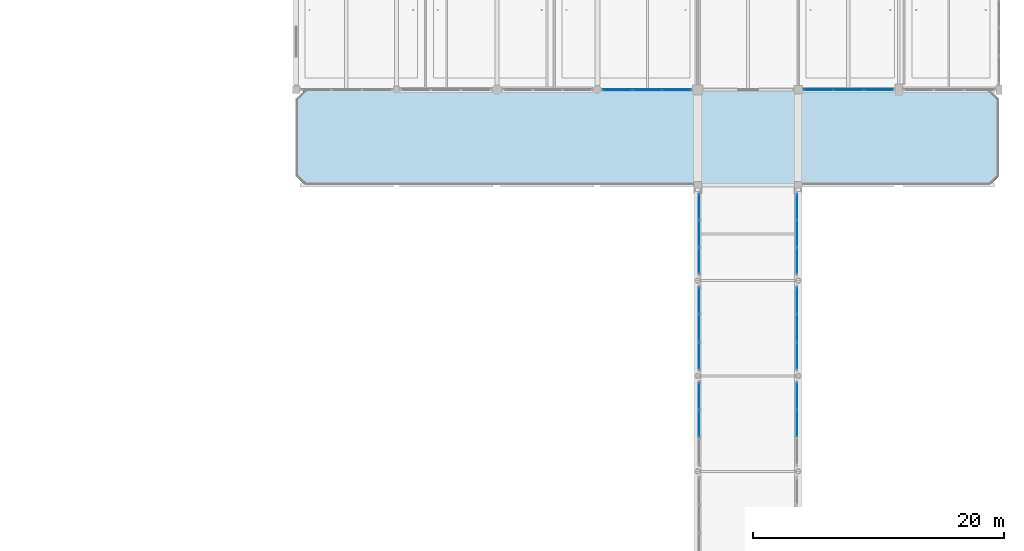
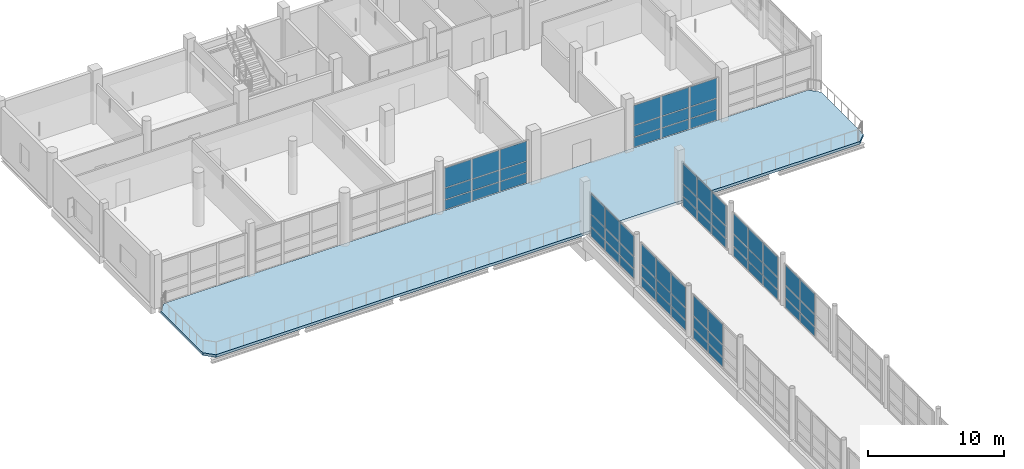
# One storey, part 81 of 141: 66 plates, 1 slab, 8 elements without a shape of their own.
"""IFC4 building model written with IfcOpenShell, lengths in metres."""

import ifcopenshell
import ifcopenshell.guid

model = None  # the IFC model being written
_history = None  # IfcOwnerHistory: only IFC2X3 demands one
_inside = {}  # id of a spatial element -> (the spatial element, [elements in it])
_under = {}  # id of a project, library or spatial element -> (it, [spatial elements below it])
_declared = {}  # id of a project -> (the project, [libraries it declares])
_typed = {}  # id of a type object -> (the type object, [elements of that type])
_made_of = {}  # id of a material, layer set ... -> (it, [elements and type objects made of it])


def new_model(schema):
    """Start an empty IFC model of exactly this schema.

    Asked for "IFC4X3", IfcOpenShell would pick the latest addendum, in which some entities
    have other attributes; the version numbers below select the first issue.
    IFC2X3 requires an IfcOwnerHistory on every rooted entity: one is made here for all.
    """
    global model, _history
    if schema == "IFC4X3":
        model = ifcopenshell.file(schema_version=(4, 3, 0, 0))
    else:
        model = ifcopenshell.file(schema=schema)
    _inside.clear()
    _under.clear()
    _declared.clear()
    _typed.clear()
    _made_of.clear()
    _history = None
    if model.schema == "IFC2X3":
        org = make("IfcOrganization", Name="unknown")
        user = make(
            "IfcPersonAndOrganization",
            ThePerson=make("IfcPerson", FamilyName="unknown"),
            TheOrganization=org,
        )
        app = make(
            "IfcApplication",
            ApplicationDeveloper=org,
            Version="unknown",
            ApplicationFullName="unknown",
            ApplicationIdentifier="unknown",
        )
        _history = make(
            "IfcOwnerHistory",
            OwningUser=user,
            OwningApplication=app,
            ChangeAction="ADDED",
            CreationDate=0,
        )
    return model


def make(cls, **values):
    """One entity of the class cls with the attributes given. An attribute that is None is left unset."""
    return model.create_entity(
        cls, **{name: value for name, value in values.items() if value is not None}
    )


def rooted(cls, **values):
    """An entity with a GlobalId (a new one), such as an element, a storey or a relation."""
    return make(cls, GlobalId=ifcopenshell.guid.new(), OwnerHistory=_history, **values)


def si_unit(unit_type, name, prefix=None):
    """IfcSIUnit, for example si_unit("LENGTHUNIT", "METRE", prefix="MILLI")."""
    return make("IfcSIUnit", UnitType=unit_type, Prefix=prefix, Name=name)


def assignment(units):
    """IfcUnitAssignment: the units of a project."""
    return None if units is None else make("IfcUnitAssignment", Units=units)


def point(xyz):
    """IfcCartesianPoint."""
    return None if xyz is None else make("IfcCartesianPoint", Coordinates=xyz)


def direction(xyz):
    """IfcDirection."""
    return None if xyz is None else make("IfcDirection", DirectionRatios=xyz)


def frame(location, z_axis=None, x_axis=None):
    """IfcAxis2Placement3D, a coordinate frame: its origin and axes. An axis left out is left unset."""
    return make(
        "IfcAxis2Placement3D",
        Location=point(location),
        Axis=direction(z_axis),
        RefDirection=direction(x_axis),
    )


def frame_2d(location, x_axis=None):
    """IfcAxis2Placement2D, a coordinate frame in the plane: its origin and x axis."""
    return make(
        "IfcAxis2Placement2D", Location=point(location), RefDirection=direction(x_axis)
    )


def origin():
    """The frame at (0, 0, 0) with its axes left unset."""
    return frame((0.0, 0.0, 0.0))


def origin_2d():
    """The frame at (0, 0) in the plane with its x axis left unset."""
    return frame_2d((0.0, 0.0))


def place(relative_to, where):
    """IfcLocalPlacement: puts the frame where relative to a parent placement (None: the world)."""
    return make(
        "IfcLocalPlacement", PlacementRelTo=relative_to, RelativePlacement=where
    )


def context(
    kind, dimensions, precision=None, world=None, true_north=None, identifier=None
):
    """IfcGeometricRepresentationContext, for example the 3D "Model" context."""
    return make(
        "IfcGeometricRepresentationContext",
        ContextIdentifier=identifier,
        ContextType=kind,
        CoordinateSpaceDimension=dimensions,
        Precision=precision,
        WorldCoordinateSystem=world,
        TrueNorth=true_north,
    )


def subcontext(parent, identifier, kind, view, scale=None):
    """IfcGeometricRepresentationSubContext, for example "Body" below "Model"."""
    return make(
        "IfcGeometricRepresentationSubContext",
        ContextIdentifier=identifier,
        ContextType=kind,
        ParentContext=parent,
        TargetScale=scale,
        TargetView=view,
    )


def project(units=None, contexts=None):
    """IfcProject with its units and contexts."""
    return rooted(
        "IfcProject",
        Name="project",
        RepresentationContexts=contexts,
        UnitsInContext=assignment(units),
    )


def spatial(cls, under=None, at=None, **own):
    """A site, building, storey or space (cls), placed at a placement, below another one or the project."""
    s = rooted(cls, ObjectPlacement=at, **own)
    if under is not None:
        _under.setdefault(under.id(), (under, []))[1].append(s)
    return s


def polyline(points):
    """IfcPolyline through the points."""
    return make("IfcPolyline", Points=[point(p) for p in points])


def profile(cls, at=None, kind="AREA", **sizes):
    """A parametric profile (cls). Its sizes go by their IFC names, for example OverallWidth=200.0."""
    return make(cls, ProfileType=kind, Position=at, **sizes)


def rectangle(**sizes):
    """IfcRectangleProfileDef."""
    return profile("IfcRectangleProfileDef", **sizes)


def outline(outer, holes=None, kind="AREA"):
    """IfcArbitraryClosedProfileDef: a profile drawn as a closed curve; with holes, ...WithVoids."""
    if holes is None:
        return make("IfcArbitraryClosedProfileDef", ProfileType=kind, OuterCurve=outer)
    return make(
        "IfcArbitraryProfileDefWithVoids",
        ProfileType=kind,
        OuterCurve=outer,
        InnerCurves=holes,
    )


def extrude(swept, where, along, depth):
    """IfcExtrudedAreaSolid: the profile swept, set in the frame where, extruded along a direction by depth."""
    return make(
        "IfcExtrudedAreaSolid",
        SweptArea=swept,
        Position=where,
        ExtrudedDirection=direction(along),
        Depth=depth,
    )


def shape(context_of_items, identifier, shape_type, items):
    """IfcShapeRepresentation: the items that make up one representation, for example the "Body"."""
    return make(
        "IfcShapeRepresentation",
        ContextOfItems=context_of_items,
        RepresentationIdentifier=identifier,
        RepresentationType=shape_type,
        Items=items,
    )


def material(Name=None, Category=None):
    """IfcMaterial."""
    return make("IfcMaterial", Name=Name, Category=Category)


def layer(
    of_material, thickness, ventilated=None, Name=None, Category=None, Priority=None
):
    """IfcMaterialLayer: one layer of a wall or slab, of a material (None: an air gap)."""
    return make(
        "IfcMaterialLayer",
        Material=of_material,
        LayerThickness=thickness,
        IsVentilated=ventilated,
        Name=Name,
        Category=Category,
        Priority=Priority,
    )


def layer_set(layers, Name=None):
    """IfcMaterialLayerSet."""
    return make("IfcMaterialLayerSet", MaterialLayers=layers, LayerSetName=Name)


def made_of(thing, what):
    """Note that an element or type object is made of a material, layer set ...; save() writes the relation."""
    if what is not None:
        _made_of.setdefault(what.id(), (what, []))[1].append(thing)
    return thing


def type_object(cls, material=None, **own):
    """A type object (cls), such as IfcWallType, which elements share."""
    return made_of(rooted(cls, **own), material)


def element(
    cls,
    number,
    at=None,
    inside=None,
    cuts=None,
    type_object=None,
    material=None,
    context=None,
    identifier="Body",
    shape_type=None,
    held_by="IfcProductDefinitionShape",
    body=None,
    shapes=None,
    **own,
):
    """One element of the class cls, such as IfcWall. Its Tag is "e" and its number.

    at: its placement. inside: the storey or other place that contains it. cuts: it is an
    opening in that element (IfcRelVoidsElement). A single representation is given by context,
    identifier, shape_type and body (its items); several are given by shapes. held_by: the class
    of the entity that holds the representations. save() writes the other relations.
    """
    e = rooted(cls, Tag="e%d" % number, ObjectPlacement=at, **own)
    if body is not None:
        shapes = [shape(context, identifier, shape_type, body)]
    if shapes is not None:
        e.Representation = make(held_by, Representations=shapes)
    if inside is not None:
        _inside.setdefault(inside.id(), (inside, []))[1].append(e)
    if cuts is not None:
        rooted(
            "IfcRelVoidsElement", RelatingBuildingElement=cuts, RelatedOpeningElement=e
        )
    if type_object is not None:
        _typed.setdefault(type_object.id(), (type_object, []))[1].append(e)
    return made_of(e, material)


def aggregate(whole, parts):
    """IfcRelAggregates: a whole, such as a stair, and the parts it consists of."""
    return rooted("IfcRelAggregates", RelatingObject=whole, RelatedObjects=parts)


def save(model, path):
    """Write the relations noted so far, then the file.

    IfcRelAggregates (storeys below a building ...), IfcRelContainedInSpatialStructure (elements
    in a storey), IfcRelDefinesByType, IfcRelAssociatesMaterial and IfcRelDeclares: one each for
    every whole, place, type object, material and project.
    """
    for whole, parts in _under.values():
        aggregate(whole, parts)
    for where, things in _inside.values():
        rooted(
            "IfcRelContainedInSpatialStructure",
            RelatedElements=things,
            RelatingStructure=where,
        )
    for kind, things in _typed.values():
        rooted("IfcRelDefinesByType", RelatedObjects=things, RelatingType=kind)
    for what, things in _made_of.values():
        rooted("IfcRelAssociatesMaterial", RelatedObjects=things, RelatingMaterial=what)
    for by, libraries in _declared.values():
        rooted("IfcRelDeclares", RelatingContext=by, RelatedDefinitions=libraries)
    model.write(path)


model = new_model("IFC4")

# Units and contexts
model_context = context("Model", 3, precision=1e-05, world=origin(), true_north=direction((0.0, 1.0)))
body_context = subcontext(model_context, "Body", "Model", "MODEL_VIEW")
ifc_project = project(units=[si_unit("LENGTHUNIT", "METRE"), si_unit("AREAUNIT", "SQUARE_METRE"), si_unit("VOLUMEUNIT", "CUBIC_METRE"), si_unit("PLANEANGLEUNIT", "RADIAN"), si_unit("MASSUNIT", "GRAM", prefix="KILO")], contexts=[model_context])

# Site, building, storey
site_placement = place(None, origin())
site = spatial("IfcSite", under=ifc_project, at=site_placement, CompositionType="ELEMENT")
building_placement = place(site_placement, origin())
building = spatial("IfcBuilding", under=site, at=building_placement, Name="Khelvaren Railside Concert Hall", CompositionType="ELEMENT")
storey_placement = place(building_placement, frame((0.0, 0.0, 10.199951171875)))
storey = spatial("IfcBuildingStorey", under=building, at=storey_placement, Name="L02", CompositionType="ELEMENT", Elevation=10.199951171875)

# Curtain wall, plates
ifc_material_1 = material(Name="Double-glazed clear foyer glass", Category="glass")
curtain_wall_type_1 = type_object("IfcCurtainWallType", Name="CW68", PredefinedType="USERDEFINED", material=ifc_material_1)
curtain_wall_1_placement = place(storey_placement, origin())
curtain_wall_1 = element("IfcCurtainWall", 1, at=curtain_wall_1_placement, inside=storey, type_object=curtain_wall_type_1, Name="Unitised Curtain Wall CW-V5-L02-S-152", ObjectType="UNITISED CURTAIN WALL", PredefinedType="USERDEFINED")
ifc_layer_1 = layer(ifc_material_1, 0.0439453125)
ifc_layer_set_1 = layer_set([ifc_layer_1], Name="Double-glazed clear foyer glass")
plate_type_1 = type_object("IfcPlateType", Name="CWP33", PredefinedType="CURTAIN_PANEL", material=ifc_layer_set_1)
plate_1_placement = place(storey_placement, frame((158.3203125, 91.199951171875, 0.06494140625), z_axis=(0.0, 0.0, 1.0), x_axis=(-1.0, 0.0, 0.0)))
plate_1 = element("IfcPlate", 2, at=plate_1_placement, type_object=plate_type_1, Name="CW68 panel 1.1", PredefinedType="CURTAIN_PANEL", context=body_context, shape_type="SweptSolid", body=[
    extrude(rectangle(XDim=2.26416015625, YDim=0.0439453125, at=origin_2d()), origin(), (0.0, 0.0, 1.0), 0.8525390625),
])
plate_2_placement = place(storey_placement, frame((158.3203125, 91.199951171875, 0.982666015625), z_axis=(0.0, 0.0, 1.0), x_axis=(-1.0, 0.0, 0.0)))
plate_2 = element("IfcPlate", 3, at=plate_2_placement, type_object=plate_type_1, Name="CW68 panel 1.2", PredefinedType="CURTAIN_PANEL", context=body_context, shape_type="SweptSolid", body=[
    extrude(rectangle(XDim=2.26416015625, YDim=0.0439453125, at=origin_2d()), origin(), (0.0, 0.0, 1.0), 0.9921875),
])
plate_3_placement = place(storey_placement, frame((158.3203125, 91.199951171875, 2.039794921875), z_axis=(0.0, 0.0, 1.0), x_axis=(-1.0, 0.0, 0.0)))
plate_3 = element("IfcPlate", 4, at=plate_3_placement, type_object=plate_type_1, Name="CW68 panel 1.3", PredefinedType="CURTAIN_PANEL", context=body_context, shape_type="SweptSolid", body=[
    extrude(rectangle(XDim=2.26416015625, YDim=0.0439453125, at=origin_2d()), origin(), (0.0, 0.0, 1.0), 1.75537109375),
])
plate_4_placement = place(storey_placement, frame((155.96240234375, 91.199951171875, 0.06494140625), z_axis=(0.0, 0.0, 1.0), x_axis=(-1.0, 0.0, 0.0)))
plate_4 = element("IfcPlate", 5, at=plate_4_placement, type_object=plate_type_1, Name="CW68 panel 2.1", PredefinedType="CURTAIN_PANEL", context=body_context, shape_type="SweptSolid", body=[
    extrude(rectangle(XDim=2.3017578125, YDim=0.0439453125, at=origin_2d()), origin(), (0.0, 0.0, 1.0), 0.8525390625),
])
plate_5_placement = place(storey_placement, frame((155.96240234375, 91.199951171875, 0.982666015625), z_axis=(0.0, 0.0, 1.0), x_axis=(-1.0, 0.0, 0.0)))
plate_5 = element("IfcPlate", 6, at=plate_5_placement, type_object=plate_type_1, Name="CW68 panel 2.2", PredefinedType="CURTAIN_PANEL", context=body_context, shape_type="SweptSolid", body=[
    extrude(rectangle(XDim=2.3017578125, YDim=0.0439453125, at=origin_2d()), origin(), (0.0, 0.0, 1.0), 0.9921875),
])
plate_6_placement = place(storey_placement, frame((155.96240234375, 91.199951171875, 2.039794921875), z_axis=(0.0, 0.0, 1.0), x_axis=(-1.0, 0.0, 0.0)))
plate_6 = element("IfcPlate", 7, at=plate_6_placement, type_object=plate_type_1, Name="CW68 panel 2.3", PredefinedType="CURTAIN_PANEL", context=body_context, shape_type="SweptSolid", body=[
    extrude(rectangle(XDim=2.3017578125, YDim=0.0439453125, at=origin_2d()), origin(), (0.0, 0.0, 1.0), 1.75537109375),
])
plate_7_placement = place(storey_placement, frame((153.6044921875, 91.199951171875, 0.06494140625), z_axis=(0.0, 0.0, 1.0), x_axis=(-1.0, 0.0, 0.0)))
plate_7 = element("IfcPlate", 8, at=plate_7_placement, type_object=plate_type_1, Name="CW68 panel 3.1", PredefinedType="CURTAIN_PANEL", context=body_context, shape_type="SweptSolid", body=[
    extrude(rectangle(XDim=2.26416015625, YDim=0.0439453125, at=origin_2d()), origin(), (0.0, 0.0, 1.0), 0.8525390625),
])
plate_8_placement = place(storey_placement, frame((153.6044921875, 91.199951171875, 0.982666015625), z_axis=(0.0, 0.0, 1.0), x_axis=(-1.0, 0.0, 0.0)))
plate_8 = element("IfcPlate", 9, at=plate_8_placement, type_object=plate_type_1, Name="CW68 panel 3.2", PredefinedType="CURTAIN_PANEL", context=body_context, shape_type="SweptSolid", body=[
    extrude(rectangle(XDim=2.26416015625, YDim=0.0439453125, at=origin_2d()), origin(), (0.0, 0.0, 1.0), 0.9921875),
])
plate_9_placement = place(storey_placement, frame((153.6044921875, 91.199951171875, 2.039794921875), z_axis=(0.0, 0.0, 1.0), x_axis=(-1.0, 0.0, 0.0)))
plate_9 = element("IfcPlate", 10, at=plate_9_placement, type_object=plate_type_1, Name="CW68 panel 3.3", PredefinedType="CURTAIN_PANEL", context=body_context, shape_type="SweptSolid", body=[
    extrude(rectangle(XDim=2.26416015625, YDim=0.0439453125, at=origin_2d()), origin(), (0.0, 0.0, 1.0), 1.75537109375),
])
aggregate(curtain_wall_1, [plate_1, plate_2, plate_3, plate_4, plate_5, plate_6, plate_7, plate_8, plate_9])

curtain_wall_type_2 = type_object("IfcCurtainWallType", Name="CW70", PredefinedType="USERDEFINED", material=ifc_material_1)
curtain_wall_2_placement = place(storey_placement, origin())
curtain_wall_2 = element("IfcCurtainWall", 11, at=curtain_wall_2_placement, inside=storey, type_object=curtain_wall_type_2, Name="Unitised Curtain Wall CW-V5-L02-S-168", ObjectType="UNITISED CURTAIN WALL", PredefinedType="USERDEFINED")
plate_10_placement = place(storey_placement, frame((174.407958984375, 91.199951171875, 0.06494140625), z_axis=(0.0, 0.0, 1.0), x_axis=(-1.0, 0.0, 0.0)))
plate_10 = element("IfcPlate", 12, at=plate_10_placement, type_object=plate_type_1, Name="CW70 panel 1.1", PredefinedType="CURTAIN_PANEL", context=body_context, shape_type="SweptSolid", body=[
    extrude(rectangle(XDim=2.2890625, YDim=0.0439453125, at=origin_2d()), origin(), (0.0, 0.0, 1.0), 0.8525390625),
])
plate_11_placement = place(storey_placement, frame((174.407958984375, 91.199951171875, 0.982666015625), z_axis=(0.0, 0.0, 1.0), x_axis=(-1.0, 0.0, 0.0)))
plate_11 = element("IfcPlate", 13, at=plate_11_placement, type_object=plate_type_1, Name="CW70 panel 1.2", PredefinedType="CURTAIN_PANEL", context=body_context, shape_type="SweptSolid", body=[
    extrude(rectangle(XDim=2.2890625, YDim=0.0439453125, at=origin_2d()), origin(), (0.0, 0.0, 1.0), 0.9921875),
])
plate_12_placement = place(storey_placement, frame((174.407958984375, 91.199951171875, 2.039794921875), z_axis=(0.0, 0.0, 1.0), x_axis=(-1.0, 0.0, 0.0)))
plate_12 = element("IfcPlate", 14, at=plate_12_placement, type_object=plate_type_1, Name="CW70 panel 1.3", PredefinedType="CURTAIN_PANEL", context=body_context, shape_type="SweptSolid", body=[
    extrude(rectangle(XDim=2.2890625, YDim=0.0439453125, at=origin_2d()), origin(), (0.0, 0.0, 1.0), 1.75537109375),
])
plate_13_placement = place(storey_placement, frame((172.02490234375, 91.199951171875, 0.06494140625), z_axis=(0.0, 0.0, 1.0), x_axis=(-1.0, 0.0, 0.0)))
plate_13 = element("IfcPlate", 15, at=plate_13_placement, type_object=plate_type_1, Name="CW70 panel 2.1", PredefinedType="CURTAIN_PANEL", context=body_context, shape_type="SweptSolid", body=[
    extrude(rectangle(XDim=2.32666015625, YDim=0.0439453125, at=origin_2d()), origin(), (0.0, 0.0, 1.0), 0.8525390625),
])
plate_14_placement = place(storey_placement, frame((172.02490234375, 91.199951171875, 0.982666015625), z_axis=(0.0, 0.0, 1.0), x_axis=(-1.0, 0.0, 0.0)))
plate_14 = element("IfcPlate", 16, at=plate_14_placement, type_object=plate_type_1, Name="CW70 panel 2.2", PredefinedType="CURTAIN_PANEL", context=body_context, shape_type="SweptSolid", body=[
    extrude(rectangle(XDim=2.32666015625, YDim=0.0439453125, at=origin_2d()), origin(), (0.0, 0.0, 1.0), 0.9921875),
])
plate_15_placement = place(storey_placement, frame((172.02490234375, 91.199951171875, 2.039794921875), z_axis=(0.0, 0.0, 1.0), x_axis=(-1.0, 0.0, 0.0)))
plate_15 = element("IfcPlate", 17, at=plate_15_placement, type_object=plate_type_1, Name="CW70 panel 2.3", PredefinedType="CURTAIN_PANEL", context=body_context, shape_type="SweptSolid", body=[
    extrude(rectangle(XDim=2.32666015625, YDim=0.0439453125, at=origin_2d()), origin(), (0.0, 0.0, 1.0), 1.75537109375),
])
plate_16_placement = place(storey_placement, frame((169.64208984375, 91.199951171875, 0.06494140625), z_axis=(0.0, 0.0, 1.0), x_axis=(-1.0, 0.0, 0.0)))
plate_16 = element("IfcPlate", 18, at=plate_16_placement, type_object=plate_type_1, Name="CW70 panel 3.1", PredefinedType="CURTAIN_PANEL", context=body_context, shape_type="SweptSolid", body=[
    extrude(rectangle(XDim=2.2890625, YDim=0.0439453125, at=origin_2d()), origin(), (0.0, 0.0, 1.0), 0.8525390625),
])
plate_17_placement = place(storey_placement, frame((169.64208984375, 91.199951171875, 0.982666015625), z_axis=(0.0, 0.0, 1.0), x_axis=(-1.0, 0.0, 0.0)))
plate_17 = element("IfcPlate", 19, at=plate_17_placement, type_object=plate_type_1, Name="CW70 panel 3.2", PredefinedType="CURTAIN_PANEL", context=body_context, shape_type="SweptSolid", body=[
    extrude(rectangle(XDim=2.2890625, YDim=0.0439453125, at=origin_2d()), origin(), (0.0, 0.0, 1.0), 0.9921875),
])
plate_18_placement = place(storey_placement, frame((169.64208984375, 91.199951171875, 2.039794921875), z_axis=(0.0, 0.0, 1.0), x_axis=(-1.0, 0.0, 0.0)))
plate_18 = element("IfcPlate", 20, at=plate_18_placement, type_object=plate_type_1, Name="CW70 panel 3.3", PredefinedType="CURTAIN_PANEL", context=body_context, shape_type="SweptSolid", body=[
    extrude(rectangle(XDim=2.2890625, YDim=0.0439453125, at=origin_2d()), origin(), (0.0, 0.0, 1.0), 1.75537109375),
])
aggregate(curtain_wall_2, [plate_10, plate_11, plate_12, plate_13, plate_14, plate_15, plate_16, plate_17, plate_18])

ifc_material_2 = material(Name="Acoustic laminated crystal facade glass", Category="glass")
curtain_wall_type_3 = type_object("IfcCurtainWallType", Name="CW78", PredefinedType="USERDEFINED", material=ifc_material_2)
curtain_wall_3_placement = place(storey_placement, origin())
curtain_wall_3 = element("IfcCurtainWall", 21, at=curtain_wall_3_placement, inside=storey, type_object=curtain_wall_type_3, Name="Unitised Curtain Wall CW-LB4-L02-W4", ObjectType="UNITISED CURTAIN WALL", PredefinedType="USERDEFINED")
ifc_layer_2 = layer(ifc_material_2, 0.0400390625)
ifc_layer_set_2 = layer_set([ifc_layer_2], Name="Acoustic laminated crystal facade glass")
plate_type_2 = type_object("IfcPlateType", Name="CWP77", PredefinedType="CURTAIN_PANEL", material=ifc_layer_set_2)
plate_19_placement = place(storey_placement, frame((160.10009765625, 64.60009765625, 0.0849609375), z_axis=(0.0, 0.0, 1.0), x_axis=(0.0, 1.0, 0.0)))
plate_19 = element("IfcPlate", 22, at=plate_19_placement, type_object=plate_type_2, Name="CW78 panel 2.1", PredefinedType="CURTAIN_PANEL", context=body_context, shape_type="SweptSolid", body=[
    extrude(rectangle(XDim=2.12841796875, YDim=0.0400390625, at=origin_2d()), origin(), (0.0, 0.0, 1.0), 0.822509765625),
])
plate_20_placement = place(storey_placement, frame((160.10009765625, 64.60009765625, 0.992431640625), z_axis=(0.0, 0.0, 1.0), x_axis=(0.0, 1.0, 0.0)))
plate_20 = element("IfcPlate", 23, at=plate_20_placement, type_object=plate_type_2, Name="CW78 panel 2.2", PredefinedType="CURTAIN_PANEL", context=body_context, shape_type="SweptSolid", body=[
    extrude(rectangle(XDim=2.12841796875, YDim=0.0400390625, at=origin_2d()), origin(), (0.0, 0.0, 1.0), 1.03466796875),
])
plate_21_placement = place(storey_placement, frame((160.10009765625, 64.60009765625, 2.1123046875), z_axis=(0.0, 0.0, 1.0), x_axis=(0.0, 1.0, 0.0)))
plate_21 = element("IfcPlate", 24, at=plate_21_placement, type_object=plate_type_2, Name="CW78 panel 2.3", PredefinedType="CURTAIN_PANEL", context=body_context, shape_type="SweptSolid", body=[
    extrude(rectangle(XDim=2.12841796875, YDim=0.0400390625, at=origin_2d()), origin(), (0.0, 0.0, 1.0), 1.782958984375),
])
plate_22_placement = place(storey_placement, frame((160.10009765625, 66.7919921875, 0.0849609375), z_axis=(0.0, 0.0, 1.0), x_axis=(0.0, 1.0, 0.0)))
plate_22 = element("IfcPlate", 25, at=plate_22_placement, type_object=plate_type_2, Name="CW78 panel 3.1", PredefinedType="CURTAIN_PANEL", context=body_context, shape_type="SweptSolid", body=[
    extrude(rectangle(XDim=2.0859375, YDim=0.0400390625, at=origin_2d()), origin(), (0.0, 0.0, 1.0), 0.822509765625),
])
plate_23_placement = place(storey_placement, frame((160.10009765625, 66.7919921875, 0.992431640625), z_axis=(0.0, 0.0, 1.0), x_axis=(0.0, 1.0, 0.0)))
plate_23 = element("IfcPlate", 26, at=plate_23_placement, type_object=plate_type_2, Name="CW78 panel 3.2", PredefinedType="CURTAIN_PANEL", context=body_context, shape_type="SweptSolid", body=[
    extrude(rectangle(XDim=2.0859375, YDim=0.0400390625, at=origin_2d()), origin(), (0.0, 0.0, 1.0), 1.03466796875),
])
plate_24_placement = place(storey_placement, frame((160.10009765625, 66.7919921875, 2.1123046875), z_axis=(0.0, 0.0, 1.0), x_axis=(0.0, 1.0, 0.0)))
plate_24 = element("IfcPlate", 27, at=plate_24_placement, type_object=plate_type_2, Name="CW78 panel 3.3", PredefinedType="CURTAIN_PANEL", context=body_context, shape_type="SweptSolid", body=[
    extrude(rectangle(XDim=2.0859375, YDim=0.0400390625, at=origin_2d()), origin(), (0.0, 0.0, 1.0), 1.782958984375),
])
aggregate(curtain_wall_3, [plate_19, plate_20, plate_21, plate_22, plate_23, plate_24])

curtain_wall_4_placement = place(storey_placement, origin())
curtain_wall_4 = element("IfcCurtainWall", 28, at=curtain_wall_4_placement, inside=storey, type_object=curtain_wall_type_3, Name="Unitised Curtain Wall CW-LB4-L02-E4", ObjectType="UNITISED CURTAIN WALL", PredefinedType="USERDEFINED")
plate_25_placement = place(storey_placement, frame((167.89990234375, 66.7919921875, 0.0849609375), z_axis=(0.0, 0.0, 1.0), x_axis=(0.0, -1.0, 0.0)))
plate_25 = element("IfcPlate", 29, at=plate_25_placement, type_object=plate_type_2, Name="CW78 panel 1.1", PredefinedType="CURTAIN_PANEL", context=body_context, shape_type="SweptSolid", body=[
    extrude(rectangle(XDim=2.0859375, YDim=0.0400390625, at=origin_2d()), origin(), (0.0, 0.0, 1.0), 0.822509765625),
])
plate_26_placement = place(storey_placement, frame((167.89990234375, 66.7919921875, 0.992431640625), z_axis=(0.0, 0.0, 1.0), x_axis=(0.0, -1.0, 0.0)))
plate_26 = element("IfcPlate", 30, at=plate_26_placement, type_object=plate_type_2, Name="CW78 panel 1.2", PredefinedType="CURTAIN_PANEL", context=body_context, shape_type="SweptSolid", body=[
    extrude(rectangle(XDim=2.0859375, YDim=0.0400390625, at=origin_2d()), origin(), (0.0, 0.0, 1.0), 1.03466796875),
])
plate_27_placement = place(storey_placement, frame((167.89990234375, 66.7919921875, 2.1123046875), z_axis=(0.0, 0.0, 1.0), x_axis=(0.0, -1.0, 0.0)))
plate_27 = element("IfcPlate", 31, at=plate_27_placement, type_object=plate_type_2, Name="CW78 panel 1.3", PredefinedType="CURTAIN_PANEL", context=body_context, shape_type="SweptSolid", body=[
    extrude(rectangle(XDim=2.0859375, YDim=0.0400390625, at=origin_2d()), origin(), (0.0, 0.0, 1.0), 1.782958984375),
])
plate_28_placement = place(storey_placement, frame((167.89990234375, 64.60009765625, 0.0849609375), z_axis=(0.0, 0.0, 1.0), x_axis=(0.0, -1.0, 0.0)))
plate_28 = element("IfcPlate", 32, at=plate_28_placement, type_object=plate_type_2, Name="CW78 panel 2.1", PredefinedType="CURTAIN_PANEL", context=body_context, shape_type="SweptSolid", body=[
    extrude(rectangle(XDim=2.12841796875, YDim=0.0400390625, at=origin_2d()), origin(), (0.0, 0.0, 1.0), 0.822509765625),
])
plate_29_placement = place(storey_placement, frame((167.89990234375, 64.60009765625, 0.992431640625), z_axis=(0.0, 0.0, 1.0), x_axis=(0.0, -1.0, 0.0)))
plate_29 = element("IfcPlate", 33, at=plate_29_placement, type_object=plate_type_2, Name="CW78 panel 2.2", PredefinedType="CURTAIN_PANEL", context=body_context, shape_type="SweptSolid", body=[
    extrude(rectangle(XDim=2.12841796875, YDim=0.0400390625, at=origin_2d()), origin(), (0.0, 0.0, 1.0), 1.03466796875),
])
plate_30_placement = place(storey_placement, frame((167.89990234375, 64.60009765625, 2.1123046875), z_axis=(0.0, 0.0, 1.0), x_axis=(0.0, -1.0, 0.0)))
plate_30 = element("IfcPlate", 34, at=plate_30_placement, type_object=plate_type_2, Name="CW78 panel 2.3", PredefinedType="CURTAIN_PANEL", context=body_context, shape_type="SweptSolid", body=[
    extrude(rectangle(XDim=2.12841796875, YDim=0.0400390625, at=origin_2d()), origin(), (0.0, 0.0, 1.0), 1.782958984375),
])
aggregate(curtain_wall_4, [plate_25, plate_26, plate_27, plate_28, plate_29, plate_30])

curtain_wall_5_placement = place(storey_placement, origin())
curtain_wall_5 = element("IfcCurtainWall", 35, at=curtain_wall_5_placement, inside=storey, type_object=curtain_wall_type_3, Name="Unitised Curtain Wall CW-LB4-L02-W5", ObjectType="UNITISED CURTAIN WALL", PredefinedType="USERDEFINED")
plate_31_placement = place(storey_placement, frame((160.10009765625, 70.0078125, 0.0849609375), z_axis=(0.0, 0.0, 1.0), x_axis=(0.0, 1.0, 0.0)))
plate_31 = element("IfcPlate", 36, at=plate_31_placement, type_object=plate_type_2, Name="CW78 panel 1.1", PredefinedType="CURTAIN_PANEL", context=body_context, shape_type="SweptSolid", body=[
    extrude(rectangle(XDim=2.0859375, YDim=0.0400390625, at=origin_2d()), origin(), (0.0, 0.0, 1.0), 0.822509765625),
])
plate_32_placement = place(storey_placement, frame((160.10009765625, 70.0078125, 0.992431640625), z_axis=(0.0, 0.0, 1.0), x_axis=(0.0, 1.0, 0.0)))
plate_32 = element("IfcPlate", 37, at=plate_32_placement, type_object=plate_type_2, Name="CW78 panel 1.2", PredefinedType="CURTAIN_PANEL", context=body_context, shape_type="SweptSolid", body=[
    extrude(rectangle(XDim=2.0859375, YDim=0.0400390625, at=origin_2d()), origin(), (0.0, 0.0, 1.0), 1.03466796875),
])
plate_33_placement = place(storey_placement, frame((160.10009765625, 70.0078125, 2.1123046875), z_axis=(0.0, 0.0, 1.0), x_axis=(0.0, 1.0, 0.0)))
plate_33 = element("IfcPlate", 38, at=plate_33_placement, type_object=plate_type_2, Name="CW78 panel 1.3", PredefinedType="CURTAIN_PANEL", context=body_context, shape_type="SweptSolid", body=[
    extrude(rectangle(XDim=2.0859375, YDim=0.0400390625, at=origin_2d()), origin(), (0.0, 0.0, 1.0), 1.782958984375),
])
plate_34_placement = place(storey_placement, frame((160.10009765625, 72.199951171875, 0.0849609375), z_axis=(0.0, 0.0, 1.0), x_axis=(0.0, 1.0, 0.0)))
plate_34 = element("IfcPlate", 39, at=plate_34_placement, type_object=plate_type_2, Name="CW78 panel 2.1", PredefinedType="CURTAIN_PANEL", context=body_context, shape_type="SweptSolid", body=[
    extrude(rectangle(XDim=2.12841796875, YDim=0.0400390625, at=origin_2d()), origin(), (0.0, 0.0, 1.0), 0.822509765625),
])
plate_35_placement = place(storey_placement, frame((160.10009765625, 72.199951171875, 0.992431640625), z_axis=(0.0, 0.0, 1.0), x_axis=(0.0, 1.0, 0.0)))
plate_35 = element("IfcPlate", 40, at=plate_35_placement, type_object=plate_type_2, Name="CW78 panel 2.2", PredefinedType="CURTAIN_PANEL", context=body_context, shape_type="SweptSolid", body=[
    extrude(rectangle(XDim=2.12841796875, YDim=0.0400390625, at=origin_2d()), origin(), (0.0, 0.0, 1.0), 1.03466796875),
])
plate_36_placement = place(storey_placement, frame((160.10009765625, 72.199951171875, 2.1123046875), z_axis=(0.0, 0.0, 1.0), x_axis=(0.0, 1.0, 0.0)))
plate_36 = element("IfcPlate", 41, at=plate_36_placement, type_object=plate_type_2, Name="CW78 panel 2.3", PredefinedType="CURTAIN_PANEL", context=body_context, shape_type="SweptSolid", body=[
    extrude(rectangle(XDim=2.12841796875, YDim=0.0400390625, at=origin_2d()), origin(), (0.0, 0.0, 1.0), 1.782958984375),
])
plate_37_placement = place(storey_placement, frame((160.10009765625, 74.39208984375, 0.0849609375), z_axis=(0.0, 0.0, 1.0), x_axis=(0.0, 1.0, 0.0)))
plate_37 = element("IfcPlate", 42, at=plate_37_placement, type_object=plate_type_2, Name="CW78 panel 3.1", PredefinedType="CURTAIN_PANEL", context=body_context, shape_type="SweptSolid", body=[
    extrude(rectangle(XDim=2.0859375, YDim=0.0400390625, at=origin_2d()), origin(), (0.0, 0.0, 1.0), 0.822509765625),
])
plate_38_placement = place(storey_placement, frame((160.10009765625, 74.39208984375, 0.992431640625), z_axis=(0.0, 0.0, 1.0), x_axis=(0.0, 1.0, 0.0)))
plate_38 = element("IfcPlate", 43, at=plate_38_placement, type_object=plate_type_2, Name="CW78 panel 3.2", PredefinedType="CURTAIN_PANEL", context=body_context, shape_type="SweptSolid", body=[
    extrude(rectangle(XDim=2.0859375, YDim=0.0400390625, at=origin_2d()), origin(), (0.0, 0.0, 1.0), 1.03466796875),
])
plate_39_placement = place(storey_placement, frame((160.10009765625, 74.39208984375, 2.1123046875), z_axis=(0.0, 0.0, 1.0), x_axis=(0.0, 1.0, 0.0)))
plate_39 = element("IfcPlate", 44, at=plate_39_placement, type_object=plate_type_2, Name="CW78 panel 3.3", PredefinedType="CURTAIN_PANEL", context=body_context, shape_type="SweptSolid", body=[
    extrude(rectangle(XDim=2.0859375, YDim=0.0400390625, at=origin_2d()), origin(), (0.0, 0.0, 1.0), 1.782958984375),
])
aggregate(curtain_wall_5, [plate_31, plate_32, plate_33, plate_34, plate_35, plate_36, plate_37, plate_38, plate_39])

curtain_wall_6_placement = place(storey_placement, origin())
curtain_wall_6 = element("IfcCurtainWall", 45, at=curtain_wall_6_placement, inside=storey, type_object=curtain_wall_type_3, Name="Unitised Curtain Wall CW-LB4-L02-E5", ObjectType="UNITISED CURTAIN WALL", PredefinedType="USERDEFINED")
plate_40_placement = place(storey_placement, frame((167.89990234375, 74.39208984375, 0.0849609375), z_axis=(0.0, 0.0, 1.0), x_axis=(0.0, -1.0, 0.0)))
plate_40 = element("IfcPlate", 46, at=plate_40_placement, type_object=plate_type_2, Name="CW78 panel 1.1", PredefinedType="CURTAIN_PANEL", context=body_context, shape_type="SweptSolid", body=[
    extrude(rectangle(XDim=2.0859375, YDim=0.0400390625, at=origin_2d()), origin(), (0.0, 0.0, 1.0), 0.822509765625),
])
plate_41_placement = place(storey_placement, frame((167.89990234375, 74.39208984375, 0.992431640625), z_axis=(0.0, 0.0, 1.0), x_axis=(0.0, -1.0, 0.0)))
plate_41 = element("IfcPlate", 47, at=plate_41_placement, type_object=plate_type_2, Name="CW78 panel 1.2", PredefinedType="CURTAIN_PANEL", context=body_context, shape_type="SweptSolid", body=[
    extrude(rectangle(XDim=2.0859375, YDim=0.0400390625, at=origin_2d()), origin(), (0.0, 0.0, 1.0), 1.03466796875),
])
plate_42_placement = place(storey_placement, frame((167.89990234375, 74.39208984375, 2.1123046875), z_axis=(0.0, 0.0, 1.0), x_axis=(0.0, -1.0, 0.0)))
plate_42 = element("IfcPlate", 48, at=plate_42_placement, type_object=plate_type_2, Name="CW78 panel 1.3", PredefinedType="CURTAIN_PANEL", context=body_context, shape_type="SweptSolid", body=[
    extrude(rectangle(XDim=2.0859375, YDim=0.0400390625, at=origin_2d()), origin(), (0.0, 0.0, 1.0), 1.782958984375),
])
plate_43_placement = place(storey_placement, frame((167.89990234375, 72.199951171875, 0.0849609375), z_axis=(0.0, 0.0, 1.0), x_axis=(0.0, -1.0, 0.0)))
plate_43 = element("IfcPlate", 49, at=plate_43_placement, type_object=plate_type_2, Name="CW78 panel 2.1", PredefinedType="CURTAIN_PANEL", context=body_context, shape_type="SweptSolid", body=[
    extrude(rectangle(XDim=2.12841796875, YDim=0.0400390625, at=origin_2d()), origin(), (0.0, 0.0, 1.0), 0.822509765625),
])
plate_44_placement = place(storey_placement, frame((167.89990234375, 72.199951171875, 0.992431640625), z_axis=(0.0, 0.0, 1.0), x_axis=(0.0, -1.0, 0.0)))
plate_44 = element("IfcPlate", 50, at=plate_44_placement, type_object=plate_type_2, Name="CW78 panel 2.2", PredefinedType="CURTAIN_PANEL", context=body_context, shape_type="SweptSolid", body=[
    extrude(rectangle(XDim=2.12841796875, YDim=0.0400390625, at=origin_2d()), origin(), (0.0, 0.0, 1.0), 1.03466796875),
])
plate_45_placement = place(storey_placement, frame((167.89990234375, 72.199951171875, 2.1123046875), z_axis=(0.0, 0.0, 1.0), x_axis=(0.0, -1.0, 0.0)))
plate_45 = element("IfcPlate", 51, at=plate_45_placement, type_object=plate_type_2, Name="CW78 panel 2.3", PredefinedType="CURTAIN_PANEL", context=body_context, shape_type="SweptSolid", body=[
    extrude(rectangle(XDim=2.12841796875, YDim=0.0400390625, at=origin_2d()), origin(), (0.0, 0.0, 1.0), 1.782958984375),
])
plate_46_placement = place(storey_placement, frame((167.89990234375, 70.0078125, 0.0849609375), z_axis=(0.0, 0.0, 1.0), x_axis=(0.0, -1.0, 0.0)))
plate_46 = element("IfcPlate", 52, at=plate_46_placement, type_object=plate_type_2, Name="CW78 panel 3.1", PredefinedType="CURTAIN_PANEL", context=body_context, shape_type="SweptSolid", body=[
    extrude(rectangle(XDim=2.0859375, YDim=0.0400390625, at=origin_2d()), origin(), (0.0, 0.0, 1.0), 0.822509765625),
])
plate_47_placement = place(storey_placement, frame((167.89990234375, 70.0078125, 0.992431640625), z_axis=(0.0, 0.0, 1.0), x_axis=(0.0, -1.0, 0.0)))
plate_47 = element("IfcPlate", 53, at=plate_47_placement, type_object=plate_type_2, Name="CW78 panel 3.2", PredefinedType="CURTAIN_PANEL", context=body_context, shape_type="SweptSolid", body=[
    extrude(rectangle(XDim=2.0859375, YDim=0.0400390625, at=origin_2d()), origin(), (0.0, 0.0, 1.0), 1.03466796875),
])
plate_48_placement = place(storey_placement, frame((167.89990234375, 70.0078125, 2.1123046875), z_axis=(0.0, 0.0, 1.0), x_axis=(0.0, -1.0, 0.0)))
plate_48 = element("IfcPlate", 54, at=plate_48_placement, type_object=plate_type_2, Name="CW78 panel 3.3", PredefinedType="CURTAIN_PANEL", context=body_context, shape_type="SweptSolid", body=[
    extrude(rectangle(XDim=2.0859375, YDim=0.0400390625, at=origin_2d()), origin(), (0.0, 0.0, 1.0), 1.782958984375),
])
aggregate(curtain_wall_6, [plate_40, plate_41, plate_42, plate_43, plate_44, plate_45, plate_46, plate_47, plate_48])

curtain_wall_7_placement = place(storey_placement, origin())
curtain_wall_7 = element("IfcCurtainWall", 55, at=curtain_wall_7_placement, inside=storey, type_object=curtain_wall_type_3, Name="Unitised Curtain Wall CW-LB4-L02-W6", ObjectType="UNITISED CURTAIN WALL", PredefinedType="USERDEFINED")
plate_49_placement = place(storey_placement, frame((160.10009765625, 77.5830078125, 0.0849609375), z_axis=(0.0, 0.0, 1.0), x_axis=(0.0, 1.0, 0.0)))
plate_49 = element("IfcPlate", 56, at=plate_49_placement, type_object=plate_type_2, Name="CW78 panel 1.1", PredefinedType="CURTAIN_PANEL", context=body_context, shape_type="SweptSolid", body=[
    extrude(rectangle(XDim=2.035888671875, YDim=0.0400390625, at=origin_2d()), origin(), (0.0, 0.0, 1.0), 0.822509765625),
])
plate_50_placement = place(storey_placement, frame((160.10009765625, 77.5830078125, 0.992431640625), z_axis=(0.0, 0.0, 1.0), x_axis=(0.0, 1.0, 0.0)))
plate_50 = element("IfcPlate", 57, at=plate_50_placement, type_object=plate_type_2, Name="CW78 panel 1.2", PredefinedType="CURTAIN_PANEL", context=body_context, shape_type="SweptSolid", body=[
    extrude(rectangle(XDim=2.035888671875, YDim=0.0400390625, at=origin_2d()), origin(), (0.0, 0.0, 1.0), 1.03466796875),
])
plate_51_placement = place(storey_placement, frame((160.10009765625, 77.5830078125, 2.1123046875), z_axis=(0.0, 0.0, 1.0), x_axis=(0.0, 1.0, 0.0)))
plate_51 = element("IfcPlate", 58, at=plate_51_placement, type_object=plate_type_2, Name="CW78 panel 1.3", PredefinedType="CURTAIN_PANEL", context=body_context, shape_type="SweptSolid", body=[
    extrude(rectangle(XDim=2.035888671875, YDim=0.0400390625, at=origin_2d()), origin(), (0.0, 0.0, 1.0), 1.782958984375),
])
plate_52_placement = place(storey_placement, frame((160.10009765625, 79.72509765625, 0.0849609375), z_axis=(0.0, 0.0, 1.0), x_axis=(0.0, 1.0, 0.0)))
plate_52 = element("IfcPlate", 59, at=plate_52_placement, type_object=plate_type_2, Name="CW78 panel 2.1", PredefinedType="CURTAIN_PANEL", context=body_context, shape_type="SweptSolid", body=[
    extrude(rectangle(XDim=2.078369140625, YDim=0.0400390625, at=origin_2d()), origin(), (0.0, 0.0, 1.0), 0.822509765625),
])
plate_53_placement = place(storey_placement, frame((160.10009765625, 79.72509765625, 0.992431640625), z_axis=(0.0, 0.0, 1.0), x_axis=(0.0, 1.0, 0.0)))
plate_53 = element("IfcPlate", 60, at=plate_53_placement, type_object=plate_type_2, Name="CW78 panel 2.2", PredefinedType="CURTAIN_PANEL", context=body_context, shape_type="SweptSolid", body=[
    extrude(rectangle(XDim=2.078369140625, YDim=0.0400390625, at=origin_2d()), origin(), (0.0, 0.0, 1.0), 1.03466796875),
])
plate_54_placement = place(storey_placement, frame((160.10009765625, 79.72509765625, 2.1123046875), z_axis=(0.0, 0.0, 1.0), x_axis=(0.0, 1.0, 0.0)))
plate_54 = element("IfcPlate", 61, at=plate_54_placement, type_object=plate_type_2, Name="CW78 panel 2.3", PredefinedType="CURTAIN_PANEL", context=body_context, shape_type="SweptSolid", body=[
    extrude(rectangle(XDim=2.078369140625, YDim=0.0400390625, at=origin_2d()), origin(), (0.0, 0.0, 1.0), 1.782958984375),
])
plate_55_placement = place(storey_placement, frame((160.10009765625, 81.8671875, 0.0849609375), z_axis=(0.0, 0.0, 1.0), x_axis=(0.0, 1.0, 0.0)))
plate_55 = element("IfcPlate", 62, at=plate_55_placement, type_object=plate_type_2, Name="CW78 panel 3.1", PredefinedType="CURTAIN_PANEL", context=body_context, shape_type="SweptSolid", body=[
    extrude(rectangle(XDim=2.035888671875, YDim=0.0400390625, at=origin_2d()), origin(), (0.0, 0.0, 1.0), 0.822509765625),
])
plate_56_placement = place(storey_placement, frame((160.10009765625, 81.8671875, 0.992431640625), z_axis=(0.0, 0.0, 1.0), x_axis=(0.0, 1.0, 0.0)))
plate_56 = element("IfcPlate", 63, at=plate_56_placement, type_object=plate_type_2, Name="CW78 panel 3.2", PredefinedType="CURTAIN_PANEL", context=body_context, shape_type="SweptSolid", body=[
    extrude(rectangle(XDim=2.035888671875, YDim=0.0400390625, at=origin_2d()), origin(), (0.0, 0.0, 1.0), 1.03466796875),
])
plate_57_placement = place(storey_placement, frame((160.10009765625, 81.8671875, 2.1123046875), z_axis=(0.0, 0.0, 1.0), x_axis=(0.0, 1.0, 0.0)))
plate_57 = element("IfcPlate", 64, at=plate_57_placement, type_object=plate_type_2, Name="CW78 panel 3.3", PredefinedType="CURTAIN_PANEL", context=body_context, shape_type="SweptSolid", body=[
    extrude(rectangle(XDim=2.035888671875, YDim=0.0400390625, at=origin_2d()), origin(), (0.0, 0.0, 1.0), 1.782958984375),
])
aggregate(curtain_wall_7, [plate_49, plate_50, plate_51, plate_52, plate_53, plate_54, plate_55, plate_56, plate_57])

curtain_wall_8_placement = place(storey_placement, origin())
curtain_wall_8 = element("IfcCurtainWall", 65, at=curtain_wall_8_placement, inside=storey, type_object=curtain_wall_type_3, Name="Unitised Curtain Wall CW-LB4-L02-E6", ObjectType="UNITISED CURTAIN WALL", PredefinedType="USERDEFINED")
plate_58_placement = place(storey_placement, frame((167.89990234375, 81.8671875, 0.0849609375), z_axis=(0.0, 0.0, 1.0), x_axis=(0.0, -1.0, 0.0)))
plate_58 = element("IfcPlate", 66, at=plate_58_placement, type_object=plate_type_2, Name="CW78 panel 1.1", PredefinedType="CURTAIN_PANEL", context=body_context, shape_type="SweptSolid", body=[
    extrude(rectangle(XDim=2.035888671875, YDim=0.0400390625, at=origin_2d()), origin(), (0.0, 0.0, 1.0), 0.822509765625),
])
plate_59_placement = place(storey_placement, frame((167.89990234375, 81.8671875, 0.992431640625), z_axis=(0.0, 0.0, 1.0), x_axis=(0.0, -1.0, 0.0)))
plate_59 = element("IfcPlate", 67, at=plate_59_placement, type_object=plate_type_2, Name="CW78 panel 1.2", PredefinedType="CURTAIN_PANEL", context=body_context, shape_type="SweptSolid", body=[
    extrude(rectangle(XDim=2.035888671875, YDim=0.0400390625, at=origin_2d()), origin(), (0.0, 0.0, 1.0), 1.03466796875),
])
plate_60_placement = place(storey_placement, frame((167.89990234375, 81.8671875, 2.1123046875), z_axis=(0.0, 0.0, 1.0), x_axis=(0.0, -1.0, 0.0)))
plate_60 = element("IfcPlate", 68, at=plate_60_placement, type_object=plate_type_2, Name="CW78 panel 1.3", PredefinedType="CURTAIN_PANEL", context=body_context, shape_type="SweptSolid", body=[
    extrude(rectangle(XDim=2.035888671875, YDim=0.0400390625, at=origin_2d()), origin(), (0.0, 0.0, 1.0), 1.782958984375),
])
plate_61_placement = place(storey_placement, frame((167.89990234375, 79.72509765625, 0.0849609375), z_axis=(0.0, 0.0, 1.0), x_axis=(0.0, -1.0, 0.0)))
plate_61 = element("IfcPlate", 69, at=plate_61_placement, type_object=plate_type_2, Name="CW78 panel 2.1", PredefinedType="CURTAIN_PANEL", context=body_context, shape_type="SweptSolid", body=[
    extrude(rectangle(XDim=2.078369140625, YDim=0.0400390625, at=origin_2d()), origin(), (0.0, 0.0, 1.0), 0.822509765625),
])
plate_62_placement = place(storey_placement, frame((167.89990234375, 79.72509765625, 0.992431640625), z_axis=(0.0, 0.0, 1.0), x_axis=(0.0, -1.0, 0.0)))
plate_62 = element("IfcPlate", 70, at=plate_62_placement, type_object=plate_type_2, Name="CW78 panel 2.2", PredefinedType="CURTAIN_PANEL", context=body_context, shape_type="SweptSolid", body=[
    extrude(rectangle(XDim=2.078369140625, YDim=0.0400390625, at=origin_2d()), origin(), (0.0, 0.0, 1.0), 1.03466796875),
])
plate_63_placement = place(storey_placement, frame((167.89990234375, 79.72509765625, 2.1123046875), z_axis=(0.0, 0.0, 1.0), x_axis=(0.0, -1.0, 0.0)))
plate_63 = element("IfcPlate", 71, at=plate_63_placement, type_object=plate_type_2, Name="CW78 panel 2.3", PredefinedType="CURTAIN_PANEL", context=body_context, shape_type="SweptSolid", body=[
    extrude(rectangle(XDim=2.078369140625, YDim=0.0400390625, at=origin_2d()), origin(), (0.0, 0.0, 1.0), 1.782958984375),
])
plate_64_placement = place(storey_placement, frame((167.89990234375, 77.5830078125, 0.0849609375), z_axis=(0.0, 0.0, 1.0), x_axis=(0.0, -1.0, 0.0)))
plate_64 = element("IfcPlate", 72, at=plate_64_placement, type_object=plate_type_2, Name="CW78 panel 3.1", PredefinedType="CURTAIN_PANEL", context=body_context, shape_type="SweptSolid", body=[
    extrude(rectangle(XDim=2.035888671875, YDim=0.0400390625, at=origin_2d()), origin(), (0.0, 0.0, 1.0), 0.822509765625),
])
plate_65_placement = place(storey_placement, frame((167.89990234375, 77.5830078125, 0.992431640625), z_axis=(0.0, 0.0, 1.0), x_axis=(0.0, -1.0, 0.0)))
plate_65 = element("IfcPlate", 73, at=plate_65_placement, type_object=plate_type_2, Name="CW78 panel 3.2", PredefinedType="CURTAIN_PANEL", context=body_context, shape_type="SweptSolid", body=[
    extrude(rectangle(XDim=2.035888671875, YDim=0.0400390625, at=origin_2d()), origin(), (0.0, 0.0, 1.0), 1.03466796875),
])
plate_66_placement = place(storey_placement, frame((167.89990234375, 77.5830078125, 2.1123046875), z_axis=(0.0, 0.0, 1.0), x_axis=(0.0, -1.0, 0.0)))
plate_66 = element("IfcPlate", 74, at=plate_66_placement, type_object=plate_type_2, Name="CW78 panel 3.3", PredefinedType="CURTAIN_PANEL", context=body_context, shape_type="SweptSolid", body=[
    extrude(rectangle(XDim=2.035888671875, YDim=0.0400390625, at=origin_2d()), origin(), (0.0, 0.0, 1.0), 1.782958984375),
])
aggregate(curtain_wall_8, [plate_58, plate_59, plate_60, plate_61, plate_62, plate_63, plate_64, plate_65, plate_66])

# Slab
ifc_material_3 = material(Name="Concrete C40/50", Category="concrete")
ifc_layer_3 = layer(ifc_material_3, 0.239990234375)
ifc_layer_set_3 = layer_set([ifc_layer_3], Name="Concrete C40/50")
slab_type = type_object("IfcSlabType", Name="FS24", PredefinedType="FLOOR", material=ifc_layer_set_3)
slab_placement = place(storey_placement, frame((0.0, 0.0, -0.239990234375)))
element("IfcSlab", 75, at=slab_placement, inside=storey, type_object=slab_type, Name="V5 L02 Outdoor Promenade Terrace Slab", PredefinedType="FLOOR", context=body_context, shape_type="SweptSolid", body=[
    extrude(outline(polyline([(128.699951171875, 83.60009765625), (183.300048828125, 83.60009765625), (184.0, 84.300048828125), (184.0, 90.5), (183.300048828125, 91.199951171875), (128.699951171875, 91.199951171875), (128.0, 90.5), (128.0, 84.300048828125), (128.699951171875, 83.60009765625)])), origin(), (0.0, 0.0, 1.0), 0.239990234375),
])

save(model, "model.ifc")
